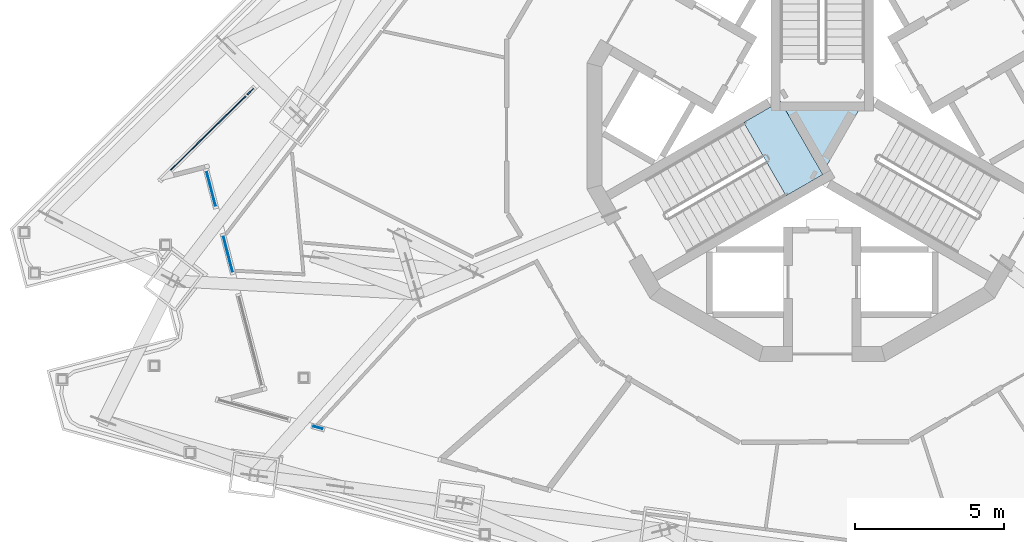
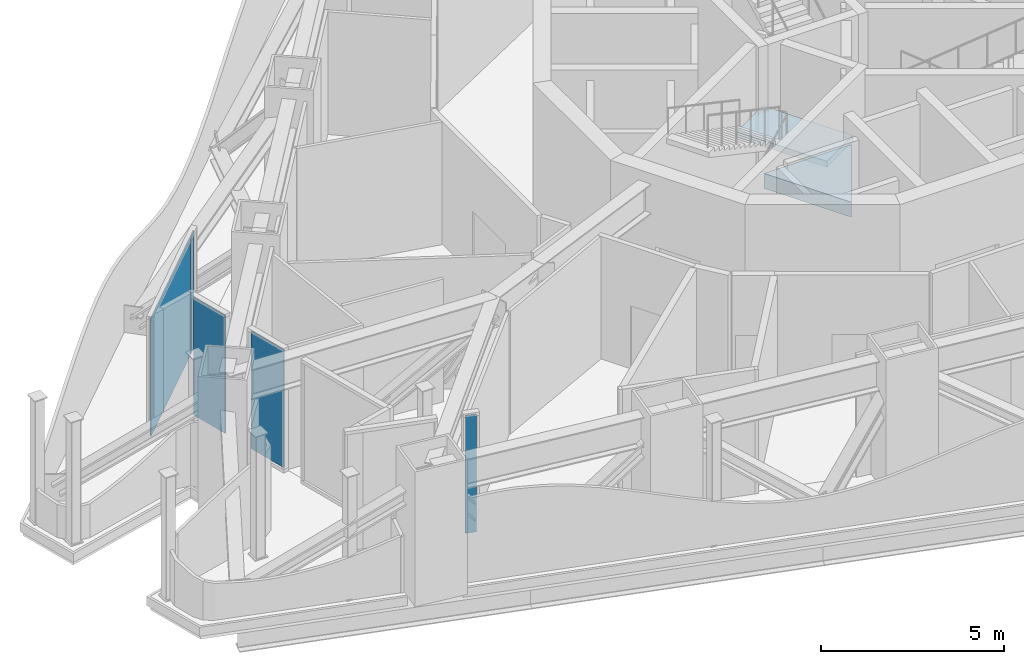
# One storey, part 6 of 22: 5 plates, 2 slabs, 5 elements without a shape of their own.
"""IFC4 building model written with IfcOpenShell, lengths in metres."""

import ifcopenshell
import ifcopenshell.guid

model = None  # the IFC model being written
_history = None  # IfcOwnerHistory: only IFC2X3 demands one
_inside = {}  # id of a spatial element -> (the spatial element, [elements in it])
_under = {}  # id of a project, library or spatial element -> (it, [spatial elements below it])
_declared = {}  # id of a project -> (the project, [libraries it declares])
_typed = {}  # id of a type object -> (the type object, [elements of that type])
_made_of = {}  # id of a material, layer set ... -> (it, [elements and type objects made of it])


def new_model(schema):
    """Start an empty IFC model of exactly this schema.

    Asked for "IFC4X3", IfcOpenShell would pick the latest addendum, in which some entities
    have other attributes; the version numbers below select the first issue.
    IFC2X3 requires an IfcOwnerHistory on every rooted entity: one is made here for all.
    """
    global model, _history
    if schema == "IFC4X3":
        model = ifcopenshell.file(schema_version=(4, 3, 0, 0))
    else:
        model = ifcopenshell.file(schema=schema)
    _inside.clear()
    _under.clear()
    _declared.clear()
    _typed.clear()
    _made_of.clear()
    _history = None
    if model.schema == "IFC2X3":
        org = make("IfcOrganization", Name="unknown")
        user = make(
            "IfcPersonAndOrganization",
            ThePerson=make("IfcPerson", FamilyName="unknown"),
            TheOrganization=org,
        )
        app = make(
            "IfcApplication",
            ApplicationDeveloper=org,
            Version="unknown",
            ApplicationFullName="unknown",
            ApplicationIdentifier="unknown",
        )
        _history = make(
            "IfcOwnerHistory",
            OwningUser=user,
            OwningApplication=app,
            ChangeAction="ADDED",
            CreationDate=0,
        )
    return model


def make(cls, **values):
    """One entity of the class cls with the attributes given. An attribute that is None is left unset."""
    return model.create_entity(
        cls, **{name: value for name, value in values.items() if value is not None}
    )


def rooted(cls, **values):
    """An entity with a GlobalId (a new one), such as an element, a storey or a relation."""
    return make(cls, GlobalId=ifcopenshell.guid.new(), OwnerHistory=_history, **values)


def si_unit(unit_type, name, prefix=None):
    """IfcSIUnit, for example si_unit("LENGTHUNIT", "METRE", prefix="MILLI")."""
    return make("IfcSIUnit", UnitType=unit_type, Prefix=prefix, Name=name)


def assignment(units):
    """IfcUnitAssignment: the units of a project."""
    return None if units is None else make("IfcUnitAssignment", Units=units)


def point(xyz):
    """IfcCartesianPoint."""
    return None if xyz is None else make("IfcCartesianPoint", Coordinates=xyz)


def direction(xyz):
    """IfcDirection."""
    return None if xyz is None else make("IfcDirection", DirectionRatios=xyz)


def frame(location, z_axis=None, x_axis=None):
    """IfcAxis2Placement3D, a coordinate frame: its origin and axes. An axis left out is left unset."""
    return make(
        "IfcAxis2Placement3D",
        Location=point(location),
        Axis=direction(z_axis),
        RefDirection=direction(x_axis),
    )


def frame_2d(location, x_axis=None):
    """IfcAxis2Placement2D, a coordinate frame in the plane: its origin and x axis."""
    return make(
        "IfcAxis2Placement2D", Location=point(location), RefDirection=direction(x_axis)
    )


def origin():
    """The frame at (0, 0, 0) with its axes left unset."""
    return frame((0.0, 0.0, 0.0))


def origin_2d():
    """The frame at (0, 0) in the plane with its x axis left unset."""
    return frame_2d((0.0, 0.0))


def place(relative_to, where):
    """IfcLocalPlacement: puts the frame where relative to a parent placement (None: the world)."""
    return make(
        "IfcLocalPlacement", PlacementRelTo=relative_to, RelativePlacement=where
    )


def context(
    kind, dimensions, precision=None, world=None, true_north=None, identifier=None
):
    """IfcGeometricRepresentationContext, for example the 3D "Model" context."""
    return make(
        "IfcGeometricRepresentationContext",
        ContextIdentifier=identifier,
        ContextType=kind,
        CoordinateSpaceDimension=dimensions,
        Precision=precision,
        WorldCoordinateSystem=world,
        TrueNorth=true_north,
    )


def subcontext(parent, identifier, kind, view, scale=None):
    """IfcGeometricRepresentationSubContext, for example "Body" below "Model"."""
    return make(
        "IfcGeometricRepresentationSubContext",
        ContextIdentifier=identifier,
        ContextType=kind,
        ParentContext=parent,
        TargetScale=scale,
        TargetView=view,
    )


def project(units=None, contexts=None):
    """IfcProject with its units and contexts."""
    return rooted(
        "IfcProject",
        Name="project",
        RepresentationContexts=contexts,
        UnitsInContext=assignment(units),
    )


def spatial(cls, under=None, at=None, **own):
    """A site, building, storey or space (cls), placed at a placement, below another one or the project."""
    s = rooted(cls, ObjectPlacement=at, **own)
    if under is not None:
        _under.setdefault(under.id(), (under, []))[1].append(s)
    return s


def polyline(points):
    """IfcPolyline through the points."""
    return make("IfcPolyline", Points=[point(p) for p in points])


def profile(cls, at=None, kind="AREA", **sizes):
    """A parametric profile (cls). Its sizes go by their IFC names, for example OverallWidth=200.0."""
    return make(cls, ProfileType=kind, Position=at, **sizes)


def rectangle(**sizes):
    """IfcRectangleProfileDef."""
    return profile("IfcRectangleProfileDef", **sizes)


def outline(outer, holes=None, kind="AREA"):
    """IfcArbitraryClosedProfileDef: a profile drawn as a closed curve; with holes, ...WithVoids."""
    if holes is None:
        return make("IfcArbitraryClosedProfileDef", ProfileType=kind, OuterCurve=outer)
    return make(
        "IfcArbitraryProfileDefWithVoids",
        ProfileType=kind,
        OuterCurve=outer,
        InnerCurves=holes,
    )


def extrude(swept, where, along, depth):
    """IfcExtrudedAreaSolid: the profile swept, set in the frame where, extruded along a direction by depth."""
    return make(
        "IfcExtrudedAreaSolid",
        SweptArea=swept,
        Position=where,
        ExtrudedDirection=direction(along),
        Depth=depth,
    )


def shape(context_of_items, identifier, shape_type, items):
    """IfcShapeRepresentation: the items that make up one representation, for example the "Body"."""
    return make(
        "IfcShapeRepresentation",
        ContextOfItems=context_of_items,
        RepresentationIdentifier=identifier,
        RepresentationType=shape_type,
        Items=items,
    )


def material(Name=None, Category=None):
    """IfcMaterial."""
    return make("IfcMaterial", Name=Name, Category=Category)


def layer(
    of_material, thickness, ventilated=None, Name=None, Category=None, Priority=None
):
    """IfcMaterialLayer: one layer of a wall or slab, of a material (None: an air gap)."""
    return make(
        "IfcMaterialLayer",
        Material=of_material,
        LayerThickness=thickness,
        IsVentilated=ventilated,
        Name=Name,
        Category=Category,
        Priority=Priority,
    )


def layer_set(layers, Name=None):
    """IfcMaterialLayerSet."""
    return make("IfcMaterialLayerSet", MaterialLayers=layers, LayerSetName=Name)


def made_of(thing, what):
    """Note that an element or type object is made of a material, layer set ...; save() writes the relation."""
    if what is not None:
        _made_of.setdefault(what.id(), (what, []))[1].append(thing)
    return thing


def type_object(cls, material=None, **own):
    """A type object (cls), such as IfcWallType, which elements share."""
    return made_of(rooted(cls, **own), material)


def element(
    cls,
    number,
    at=None,
    inside=None,
    cuts=None,
    type_object=None,
    material=None,
    context=None,
    identifier="Body",
    shape_type=None,
    held_by="IfcProductDefinitionShape",
    body=None,
    shapes=None,
    **own,
):
    """One element of the class cls, such as IfcWall. Its Tag is "e" and its number.

    at: its placement. inside: the storey or other place that contains it. cuts: it is an
    opening in that element (IfcRelVoidsElement). A single representation is given by context,
    identifier, shape_type and body (its items); several are given by shapes. held_by: the class
    of the entity that holds the representations. save() writes the other relations.
    """
    e = rooted(cls, Tag="e%d" % number, ObjectPlacement=at, **own)
    if body is not None:
        shapes = [shape(context, identifier, shape_type, body)]
    if shapes is not None:
        e.Representation = make(held_by, Representations=shapes)
    if inside is not None:
        _inside.setdefault(inside.id(), (inside, []))[1].append(e)
    if cuts is not None:
        rooted(
            "IfcRelVoidsElement", RelatingBuildingElement=cuts, RelatedOpeningElement=e
        )
    if type_object is not None:
        _typed.setdefault(type_object.id(), (type_object, []))[1].append(e)
    return made_of(e, material)


def aggregate(whole, parts):
    """IfcRelAggregates: a whole, such as a stair, and the parts it consists of."""
    return rooted("IfcRelAggregates", RelatingObject=whole, RelatedObjects=parts)


def save(model, path):
    """Write the relations noted so far, then the file.

    IfcRelAggregates (storeys below a building ...), IfcRelContainedInSpatialStructure (elements
    in a storey), IfcRelDefinesByType, IfcRelAssociatesMaterial and IfcRelDeclares: one each for
    every whole, place, type object, material and project.
    """
    for whole, parts in _under.values():
        aggregate(whole, parts)
    for where, things in _inside.values():
        rooted(
            "IfcRelContainedInSpatialStructure",
            RelatedElements=things,
            RelatingStructure=where,
        )
    for kind, things in _typed.values():
        rooted("IfcRelDefinesByType", RelatedObjects=things, RelatingType=kind)
    for what, things in _made_of.values():
        rooted("IfcRelAssociatesMaterial", RelatedObjects=things, RelatingMaterial=what)
    for by, libraries in _declared.values():
        rooted("IfcRelDeclares", RelatingContext=by, RelatedDefinitions=libraries)
    model.write(path)


model = new_model("IFC4")

# Units and contexts
model_context = context("Model", 3, precision=1e-05, world=origin(), true_north=direction((0.0, 1.0)))
body_context = subcontext(model_context, "Body", "Model", "MODEL_VIEW")
ifc_project = project(units=[si_unit("LENGTHUNIT", "METRE"), si_unit("AREAUNIT", "SQUARE_METRE"), si_unit("VOLUMEUNIT", "CUBIC_METRE"), si_unit("PLANEANGLEUNIT", "RADIAN"), si_unit("MASSUNIT", "GRAM", prefix="KILO")], contexts=[model_context])

# Site, building, storey
site_placement = place(None, origin())
site = spatial("IfcSite", under=ifc_project, at=site_placement, CompositionType="ELEMENT")
building_placement = place(site_placement, origin())
building = spatial("IfcBuilding", under=site, at=building_placement, Name="Trine Commons Tower", CompositionType="ELEMENT")
storey_placement = place(building_placement, frame((0.0, 0.0, 267.300048828125)))
storey = spatial("IfcBuildingStorey", under=building, at=storey_placement, Name="L70", CompositionType="ELEMENT", Elevation=267.300048828125)

# Curtain wall, plates
ifc_material_1 = material(Name="Sky lounge glazing: anodised aluminium frame with low-emissivity double glazed unit, solar control", Category="aluminium")
ifc_layer_1 = layer(ifc_material_1, 0.179931640625)
ifc_layer_set_1 = layer_set([ifc_layer_1], Name="Sky lounge glazing: anodised aluminium frame with low-emissivity double glazed unit, solar control")
curtain_wall_type = type_object("IfcCurtainWallType", Name="Sky lounge glazing curtain wall CW5", PredefinedType="NOTDEFINED", material=ifc_layer_set_1)
curtain_wall_1_placement = place(storey_placement, origin())
curtain_wall_1 = element("IfcCurtainWall", 1, at=curtain_wall_1_placement, inside=storey, type_object=curtain_wall_type, Name="Sky lounge glazing L70 F1.1", PredefinedType="NOTDEFINED")
ifc_material_2 = material(Name="Low-emissivity double glazed unit, solar control")
ifc_layer_2 = layer(ifc_material_2, 0.031982421875)
ifc_layer_set_2 = layer_set([ifc_layer_2], Name="Low-emissivity double glazed unit, solar control")
plate_type = type_object("IfcPlateType", Name="Double glazed unit 32 mm (sky floors)", PredefinedType="CURTAIN_PANEL", material=ifc_layer_set_2)
plate_1_placement = place(storey_placement, frame((59.16650390625, 62.1005859375, 0.10986328125), z_axis=(0.0, 0.0, 1.0), x_axis=(0.713250449154, 0.7009092643, 0.0)))
plate_1 = element("IfcPlate", 2, at=plate_1_placement, type_object=plate_type, Name="CW5 panel 1.1", PredefinedType="CURTAIN_PANEL", context=body_context, shape_type="SweptSolid", body=[
    extrude(rectangle(XDim=4.003662109375, YDim=0.031982421875, at=origin_2d()), origin(), (0.0, 0.0, 1.0), 3.929931640625),
])
plate_2_placement = place(storey_placement, frame((60.751708984375, 63.65869140625, 0.10986328125), z_axis=(0.0, 0.0, 1.0), x_axis=(0.713250449154, 0.7009092643, 0.0)))
plate_2 = element("IfcPlate", 3, at=plate_2_placement, type_object=plate_type, Name="CW5 panel 2.1", PredefinedType="CURTAIN_PANEL", context=body_context, shape_type="SweptSolid", body=[
    extrude(rectangle(XDim=0.2919921875, YDim=0.031982421875, at=origin_2d()), origin(), (0.0, 0.0, 1.0), 3.929931640625),
])
aggregate(curtain_wall_1, [plate_1, plate_2])

# Curtain wall, plate
curtain_wall_2_placement = place(storey_placement, origin())
curtain_wall_2 = element("IfcCurtainWall", 4, at=curtain_wall_2_placement, inside=storey, type_object=curtain_wall_type, Name="Sky lounge glazing L70 F3.2", PredefinedType="NOTDEFINED")
plate_3_placement = place(storey_placement, frame((63.02783203125, 52.3486328125, 0.10986328125), z_axis=(0.0, 0.0, 1.0), x_axis=(-0.963630453209, 0.267238376078, 0.0)))
plate_3 = element("IfcPlate", 5, at=plate_3_placement, type_object=plate_type, Name="CW5 panel 1.1", PredefinedType="CURTAIN_PANEL", context=body_context, shape_type="SweptSolid", body=[
    extrude(rectangle(XDim=0.309814453125, YDim=0.031982421875, at=origin_2d()), origin(), (0.0, 0.0, 1.0), 3.929931640625),
])
aggregate(curtain_wall_2, [plate_3])

curtain_wall_3_placement = place(storey_placement, origin())
curtain_wall_3 = element("IfcCurtainWall", 6, at=curtain_wall_3_placement, inside=storey, type_object=curtain_wall_type, Name="Sky lounge glazing L70 P3.2", PredefinedType="NOTDEFINED")
plate_4_placement = place(storey_placement, frame((59.99560546875, 58.193603515625, 0.10986328125), z_axis=(0.0, 0.0, 1.0), x_axis=(-0.250380004054, 0.968147640378, 0.0)))
plate_4 = element("IfcPlate", 7, at=plate_4_placement, type_object=plate_type, Name="CW5 panel 1.1", PredefinedType="CURTAIN_PANEL", context=body_context, shape_type="SweptSolid", body=[
    extrude(rectangle(XDim=1.279296875, YDim=0.031982421875, at=origin_2d()), origin(), (0.0, 0.0, 1.0), 3.929931640625),
])
aggregate(curtain_wall_3, [plate_4])

curtain_wall_4_placement = place(storey_placement, origin())
curtain_wall_4 = element("IfcCurtainWall", 8, at=curtain_wall_4_placement, inside=storey, type_object=curtain_wall_type, Name="Sky lounge glazing L70 P3.3", PredefinedType="NOTDEFINED")
plate_5_placement = place(storey_placement, frame((59.427978515625, 60.388916015625, 0.10986328125), z_axis=(0.0, 0.0, 1.0), x_axis=(-0.250380004054, 0.968147640378, 0.0)))
plate_5 = element("IfcPlate", 9, at=plate_5_placement, type_object=plate_type, Name="CW5 panel 1.1", PredefinedType="CURTAIN_PANEL", context=body_context, shape_type="SweptSolid", body=[
    extrude(rectangle(XDim=1.23583984375, YDim=0.031982421875, at=origin_2d()), origin(), (0.0, 0.0, 1.0), 3.929931640625),
])
aggregate(curtain_wall_4, [plate_5])

# Stair, slab
ifc_material_3 = material(Name="Concrete C50/60", Category="concrete")
stair_type = type_object("IfcStairType", Name="Exit stair, dog-leg, 30 risers of 150 mm", PredefinedType="HALF_TURN_STAIR", material=ifc_material_3)
stair_placement = place(storey_placement, origin())
stair = element("IfcStair", 10, at=stair_placement, inside=storey, type_object=stair_type, Name="L70 Exit stair ST2D", PredefinedType="HALF_TURN_STAIR")
ifc_layer_3 = layer(ifc_material_3, 0.199951171875)
ifc_layer_set_3 = layer_set([ifc_layer_3], Name="Concrete C50/60")
slab_type_1 = type_object("IfcSlabType", Name="Stair landing slab 200 mm, C50/60", PredefinedType="LANDING", material=ifc_layer_set_3)
slab_1_placement = place(storey_placement, frame((0.0, 0.0, 2.050048828125)))
slab_1 = element("IfcSlab", 11, at=slab_1_placement, type_object=slab_type_1, Name="ST2D landing 1", PredefinedType="LANDING", context=body_context, shape_type="SweptSolid", body=[
    extrude(outline(polyline([(78.78076171875, 60.150634765625), (80.019287109375, 60.86572265625), (78.59423828125, 63.333740234375), (77.355712890625, 62.618896484375), (78.78076171875, 60.150634765625)])), origin(), (0.0, 0.0, 1.0), 0.199951171875),
])
aggregate(stair, [slab_1])

# Slab
ifc_material_4 = material(Name="Concrete C40/50", Category="concrete")
ifc_layer_4 = layer(ifc_material_4, 0.5)
ifc_layer_set_4 = layer_set([ifc_layer_4], Name="Concrete C40/50")
slab_type_2 = type_object("IfcSlabType", Name="Transfer floor slab 500 mm, C40/50", PredefinedType="FLOOR", material=ifc_layer_set_4)
slab_2_placement = place(storey_placement, frame((0.0, 0.0, -0.5)))
element("IfcSlab", 12, at=slab_2_placement, inside=storey, type_object=slab_type_2, Name="Floor slab L70 2", PredefinedType="FLOOR", context=body_context, shape_type="SweptSolid", body=[
    extrude(outline(polyline([(81.38671875, 63.300537109375), (78.61328125, 63.300537109375), (80.0, 60.89892578125), (81.38671875, 63.300537109375)])), origin(), (0.0, 0.0, 1.0), 0.5),
])

save(model, "model.ifc")
